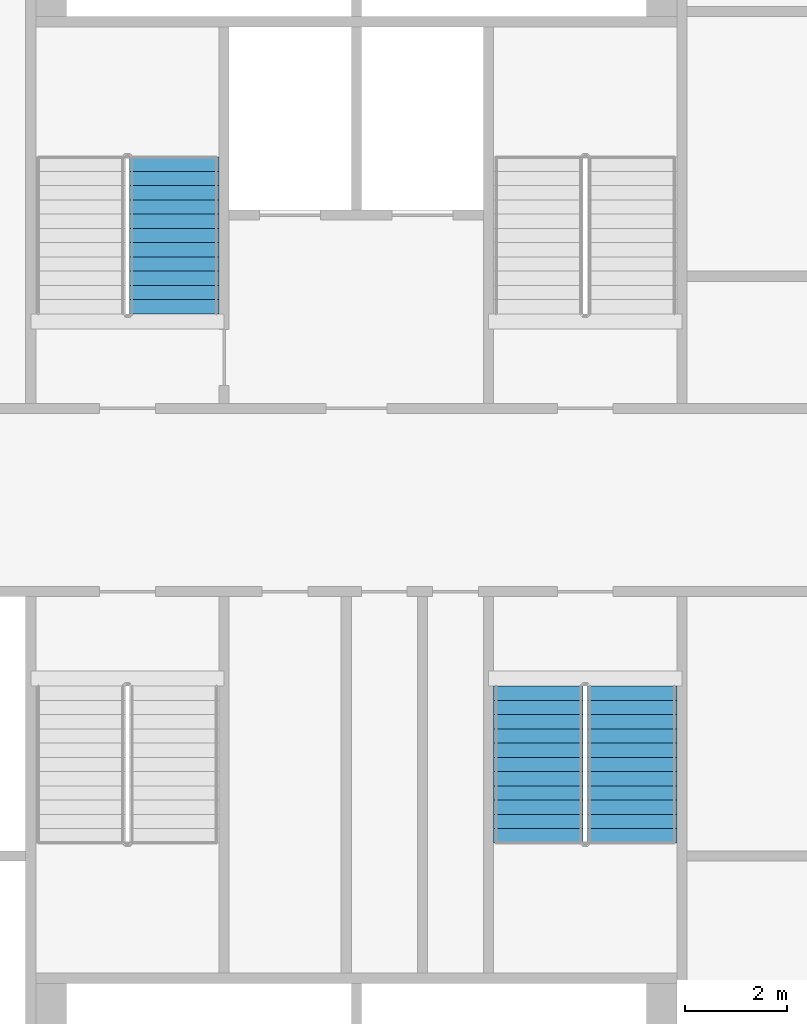
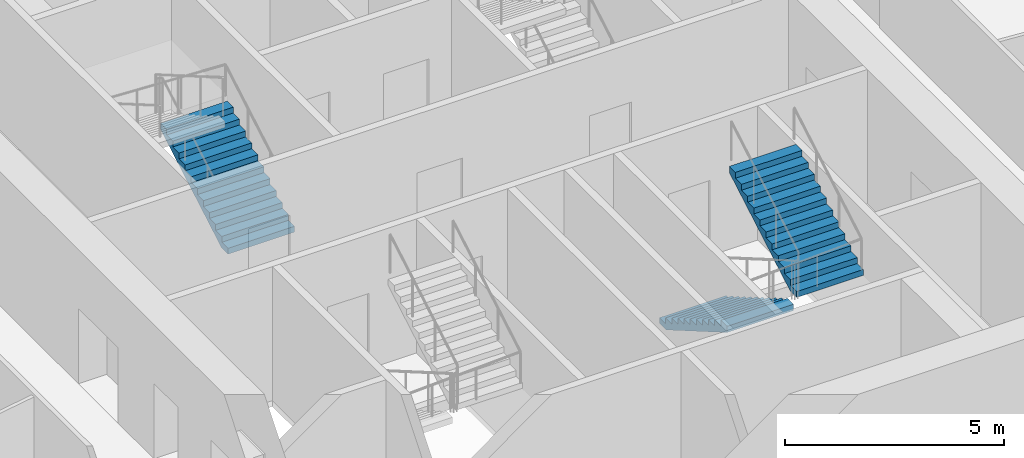
# One storey, part 9 of 16: 3 stair flights, 2 elements without a shape of their own.
"""IFC4 building model written with IfcOpenShell, lengths in metres."""

from ifc_helpers import new_model, si_unit, direction, frame, origin, place, context, subcontext, project, spatial, faceted_brep, material, type_object, element, aggregate, save


model = new_model("IFC4")

# Units and contexts
model_context = context("Model", 3, precision=1e-05, world=origin(), true_north=direction((0.0, 1.0)))
body_context = subcontext(model_context, "Body", "Model", "MODEL_VIEW")
ifc_project = project(units=[si_unit("LENGTHUNIT", "METRE"), si_unit("AREAUNIT", "SQUARE_METRE"), si_unit("VOLUMEUNIT", "CUBIC_METRE"), si_unit("PLANEANGLEUNIT", "RADIAN"), si_unit("MASSUNIT", "GRAM", prefix="KILO")], contexts=[model_context])

# Site, building, storey
site_placement = place(None, origin())
site = spatial("IfcSite", under=ifc_project, at=site_placement, CompositionType="ELEMENT")
building_placement = place(site_placement, origin())
building = spatial("IfcBuilding", under=site, at=building_placement, Name="Tarsis Ring Headquarters", CompositionType="ELEMENT")
storey_placement = place(building_placement, frame((0.0, 0.0, 96.699951171875)))
storey = spatial("IfcBuildingStorey", under=building, at=storey_placement, Name="L21", CompositionType="ELEMENT", Elevation=96.699951171875)

# Stair, stair flight
ifc_material_1 = material(Name="Core stair 1760")
stair_type = type_object("IfcStairType", Name="Core stair 1760", PredefinedType="HALF_TURN_STAIR", material=ifc_material_1)
stair_1_placement = place(storey_placement, origin())
stair_1 = element("IfcStair", 1, at=stair_1_placement, inside=storey, type_object=stair_type, Name="L21 Firefighting stair", PredefinedType="HALF_TURN_STAIR")
ifc_material_2 = material(Name="Concrete C40/50", Category="concrete")
stair_flight_type = type_object("IfcStairFlightType", Name="Core stair flight 1760", PredefinedType="STRAIGHT", material=ifc_material_2)
stair_flight_1_placement = place(storey_placement, frame((-3.580078125, 3.659912109375, 0.0), z_axis=(0.0, 0.0, 1.0), x_axis=(0.0, 1.0, 0.0)))
stair_flight_1 = element("IfcStairFlight", 2, at=stair_flight_1_placement, type_object=stair_flight_type, Name="Stair ST1 flight 1", NumberOfRisers=12, NumberOfTreads=11, PredefinedType="STRAIGHT", RiserHeight=0.1625, TreadLength=0.28, context=body_context, shape_type="Brep", body=[
    faceted_brep([(0.0, 0.8798828125, 0.0), (0.0, 0.8798828125, 0.16259765625), (0.280029296875, 0.8798828125, 0.16259765625), (0.280029296875, 0.8798828125, 0.324951171875), (0.56005859375, 0.8798828125, 0.324951171875), (0.56005859375, 0.8798828125, 0.487548828125), (0.840087890625, 0.8798828125, 0.487548828125), (0.840087890625, 0.8798828125, 0.64990234375), (1.1201171875, 0.8798828125, 0.64990234375), (1.1201171875, 0.8798828125, 0.8125), (1.39990234375, 0.8798828125, 0.8125), (1.39990234375, 0.8798828125, 0.97509765625), (1.679931640625, 0.8798828125, 0.97509765625), (1.679931640625, 0.8798828125, 1.137451171875), (1.9599609375, 0.8798828125, 1.137451171875), (1.9599609375, 0.8798828125, 1.300048828125), (2.239990234375, 0.8798828125, 1.300048828125), (2.239990234375, 0.8798828125, 1.46240234375), (2.52001953125, 0.8798828125, 1.46240234375), (2.52001953125, 0.8798828125, 1.625), (2.800048828125, 0.8798828125, 1.625), (2.800048828125, 0.8798828125, 1.78759765625), (3.080078125, 0.8798828125, 1.78759765625), (3.080078125, 0.8798828125, 1.6142578125), (0.298583984375, 0.8798828125, 0.0), (0.298583984375, -0.8798828125, 0.0), (3.080078125, -0.8798828125, 1.6142578125), (3.080078125, -0.8798828125, 1.78759765625), (2.800048828125, -0.8798828125, 1.78759765625), (2.800048828125, -0.8798828125, 1.625), (2.52001953125, -0.8798828125, 1.625), (2.52001953125, -0.8798828125, 1.46240234375), (2.239990234375, -0.8798828125, 1.46240234375), (2.239990234375, -0.8798828125, 1.300048828125), (1.9599609375, -0.8798828125, 1.300048828125), (1.9599609375, -0.8798828125, 1.137451171875), (1.679931640625, -0.8798828125, 1.137451171875), (1.679931640625, -0.8798828125, 0.97509765625), (1.39990234375, -0.8798828125, 0.97509765625), (1.39990234375, -0.8798828125, 0.8125), (1.1201171875, -0.8798828125, 0.8125), (1.1201171875, -0.8798828125, 0.64990234375), (0.840087890625, -0.8798828125, 0.64990234375), (0.840087890625, -0.8798828125, 0.487548828125), (0.56005859375, -0.8798828125, 0.487548828125), (0.56005859375, -0.8798828125, 0.324951171875), (0.280029296875, -0.8798828125, 0.324951171875), (0.280029296875, -0.8798828125, 0.16259765625), (0.0, -0.8798828125, 0.16259765625), (0.0, -0.8798828125, 0.0), (0.0, -0.43994140625, 0.16259765625), (0.0, -0.43994140625, 0.0), (0.0, 0.0, 0.16259765625), (0.0, 0.0, 0.0), (0.0, 0.43994140625, 0.16259765625), (0.0, 0.43994140625, 0.0), (0.280029296875, -0.43994140625, 0.16259765625), (0.280029296875, 0.0, 0.16259765625), (0.280029296875, 0.43994140625, 0.16259765625), (0.280029296875, -0.43994140625, 0.324951171875), (0.280029296875, 0.0, 0.324951171875), (0.280029296875, 0.43994140625, 0.324951171875), (0.56005859375, -0.43994140625, 0.324951171875), (0.56005859375, 0.0, 0.324951171875), (0.56005859375, 0.43994140625, 0.324951171875), (0.56005859375, -0.43994140625, 0.487548828125), (0.56005859375, 0.0, 0.487548828125), (0.56005859375, 0.43994140625, 0.487548828125), (0.840087890625, -0.43994140625, 0.487548828125), (0.840087890625, 0.0, 0.487548828125), (0.840087890625, 0.43994140625, 0.487548828125), (0.840087890625, -0.43994140625, 0.64990234375), (0.840087890625, 0.0, 0.64990234375), (0.840087890625, 0.43994140625, 0.64990234375), (1.1201171875, -0.43994140625, 0.64990234375), (1.1201171875, 0.0, 0.64990234375), (1.1201171875, 0.43994140625, 0.64990234375), (1.1201171875, -0.43994140625, 0.8125), (1.1201171875, 0.0, 0.8125), (1.1201171875, 0.43994140625, 0.8125), (1.39990234375, -0.43994140625, 0.8125), (1.39990234375, 0.0, 0.8125), (1.39990234375, 0.43994140625, 0.8125), (1.39990234375, -0.43994140625, 0.97509765625), (1.39990234375, 0.0, 0.97509765625), (1.39990234375, 0.43994140625, 0.97509765625), (1.679931640625, -0.43994140625, 0.97509765625), (1.679931640625, 0.0, 0.97509765625), (1.679931640625, 0.43994140625, 0.97509765625), (1.679931640625, -0.43994140625, 1.137451171875), (1.679931640625, 0.0, 1.137451171875), (1.679931640625, 0.43994140625, 1.137451171875), (1.9599609375, -0.43994140625, 1.137451171875), (1.9599609375, 0.0, 1.137451171875), (1.9599609375, 0.43994140625, 1.137451171875), (1.9599609375, -0.43994140625, 1.300048828125), (1.9599609375, 0.0, 1.300048828125), (1.9599609375, 0.43994140625, 1.300048828125), (2.239990234375, -0.43994140625, 1.300048828125), (2.239990234375, 0.0, 1.300048828125), (2.239990234375, 0.43994140625, 1.300048828125), (2.239990234375, -0.43994140625, 1.46240234375), (2.239990234375, 0.0, 1.46240234375), (2.239990234375, 0.43994140625, 1.46240234375), (2.52001953125, -0.43994140625, 1.46240234375), (2.52001953125, 0.0, 1.46240234375), (2.52001953125, 0.43994140625, 1.46240234375), (2.52001953125, -0.43994140625, 1.625), (2.52001953125, 0.0, 1.625), (2.52001953125, 0.43994140625, 1.625), (2.800048828125, -0.43994140625, 1.625), (2.800048828125, 0.0, 1.625), (2.800048828125, 0.43994140625, 1.625), (2.800048828125, -0.43994140625, 1.78759765625), (2.800048828125, 0.0, 1.78759765625), (2.800048828125, 0.43994140625, 1.78759765625), (3.080078125, -0.43994140625, 1.78759765625), (3.080078125, 0.0, 1.78759765625), (3.080078125, 0.43994140625, 1.78759765625), (3.080078125, -0.43994140625, 1.6142578125), (3.080078125, 0.0, 1.6142578125), (3.080078125, 0.43994140625, 1.6142578125), (0.298583984375, -0.43994140625, 0.0), (0.298583984375, 0.0, 0.0), (0.298583984375, 0.43994140625, 0.0)], [[[0, 1, 2, 3, 4, 5, 6, 7, 8, 9, 10, 11, 12, 13, 14, 15, 16, 17, 18, 19, 20, 21, 22, 23, 24]], [[25, 26, 27, 28, 29, 30, 31, 32, 33, 34, 35, 36, 37, 38, 39, 40, 41, 42, 43, 44, 45, 46, 47, 48, 49]], [[49, 48, 50, 51]], [[51, 50, 52, 53]], [[53, 52, 54, 55]], [[55, 54, 1, 0]], [[48, 47, 56, 50]], [[50, 56, 57, 52]], [[52, 57, 58, 54]], [[54, 58, 2, 1]], [[47, 46, 59, 56]], [[56, 59, 60, 57]], [[57, 60, 61, 58]], [[58, 61, 3, 2]], [[46, 45, 62, 59]], [[59, 62, 63, 60]], [[60, 63, 64, 61]], [[61, 64, 4, 3]], [[45, 44, 65, 62]], [[62, 65, 66, 63]], [[63, 66, 67, 64]], [[64, 67, 5, 4]], [[44, 43, 68, 65]], [[65, 68, 69, 66]], [[66, 69, 70, 67]], [[67, 70, 6, 5]], [[43, 42, 71, 68]], [[68, 71, 72, 69]], [[69, 72, 73, 70]], [[70, 73, 7, 6]], [[42, 41, 74, 71]], [[71, 74, 75, 72]], [[72, 75, 76, 73]], [[73, 76, 8, 7]], [[41, 40, 77, 74]], [[74, 77, 78, 75]], [[75, 78, 79, 76]], [[76, 79, 9, 8]], [[40, 39, 80, 77]], [[77, 80, 81, 78]], [[78, 81, 82, 79]], [[79, 82, 10, 9]], [[39, 38, 83, 80]], [[80, 83, 84, 81]], [[81, 84, 85, 82]], [[82, 85, 11, 10]], [[38, 37, 86, 83]], [[83, 86, 87, 84]], [[84, 87, 88, 85]], [[85, 88, 12, 11]], [[37, 36, 89, 86]], [[86, 89, 90, 87]], [[87, 90, 91, 88]], [[88, 91, 13, 12]], [[36, 35, 92, 89]], [[89, 92, 93, 90]], [[90, 93, 94, 91]], [[91, 94, 14, 13]], [[35, 34, 95, 92]], [[92, 95, 96, 93]], [[93, 96, 97, 94]], [[94, 97, 15, 14]], [[34, 33, 98, 95]], [[95, 98, 99, 96]], [[96, 99, 100, 97]], [[97, 100, 16, 15]], [[33, 32, 101, 98]], [[98, 101, 102, 99]], [[99, 102, 103, 100]], [[100, 103, 17, 16]], [[32, 31, 104, 101]], [[101, 104, 105, 102]], [[102, 105, 106, 103]], [[103, 106, 18, 17]], [[31, 30, 107, 104]], [[104, 107, 108, 105]], [[105, 108, 109, 106]], [[106, 109, 19, 18]], [[30, 29, 110, 107]], [[107, 110, 111, 108]], [[108, 111, 112, 109]], [[109, 112, 20, 19]], [[29, 28, 113, 110]], [[110, 113, 114, 111]], [[111, 114, 115, 112]], [[112, 115, 21, 20]], [[28, 27, 116, 113]], [[113, 116, 117, 114]], [[114, 117, 118, 115]], [[115, 118, 22, 21]], [[27, 26, 119, 116]], [[116, 119, 120, 117]], [[117, 120, 121, 118]], [[118, 121, 23, 22]], [[26, 25, 122, 119]], [[119, 122, 123, 120]], [[120, 123, 124, 121]], [[121, 124, 24, 23]], [[25, 49, 51, 122]], [[122, 51, 53, 123]], [[123, 53, 55, 124]], [[124, 55, 0, 24]]]),
])
aggregate(stair_1, [stair_flight_1])

# Stair, stair flights
stair_2_placement = place(storey_placement, origin())
stair_2 = element("IfcStair", 3, at=stair_2_placement, inside=storey, type_object=stair_type, Name="L21 Exit stair D", PredefinedType="HALF_TURN_STAIR")
stair_flight_2_placement = place(storey_placement, frame((3.580078125, -3.659912109375, 0.0), z_axis=(0.0, 0.0, 1.0), x_axis=(0.0, -1.0, 0.0)))
stair_flight_2 = element("IfcStairFlight", 4, at=stair_flight_2_placement, type_object=stair_flight_type, Name="Stair ST4 flight 1", NumberOfRisers=12, NumberOfTreads=11, PredefinedType="STRAIGHT", RiserHeight=0.1625, TreadLength=0.28, context=body_context, shape_type="Brep", body=[
    faceted_brep([(0.0, 0.8798828125, 0.0), (0.0, 0.8798828125, 0.16259765625), (0.280029296875, 0.8798828125, 0.16259765625), (0.280029296875, 0.8798828125, 0.324951171875), (0.56005859375, 0.8798828125, 0.324951171875), (0.56005859375, 0.8798828125, 0.487548828125), (0.840087890625, 0.8798828125, 0.487548828125), (0.840087890625, 0.8798828125, 0.64990234375), (1.1201171875, 0.8798828125, 0.64990234375), (1.1201171875, 0.8798828125, 0.8125), (1.39990234375, 0.8798828125, 0.8125), (1.39990234375, 0.8798828125, 0.97509765625), (1.679931640625, 0.8798828125, 0.97509765625), (1.679931640625, 0.8798828125, 1.137451171875), (1.9599609375, 0.8798828125, 1.137451171875), (1.9599609375, 0.8798828125, 1.300048828125), (2.239990234375, 0.8798828125, 1.300048828125), (2.239990234375, 0.8798828125, 1.46240234375), (2.52001953125, 0.8798828125, 1.46240234375), (2.52001953125, 0.8798828125, 1.625), (2.800048828125, 0.8798828125, 1.625), (2.800048828125, 0.8798828125, 1.78759765625), (3.080078125, 0.8798828125, 1.78759765625), (3.080078125, 0.8798828125, 1.6142578125), (0.298583984375, 0.8798828125, 0.0), (0.298583984375, -0.8798828125, 0.0), (3.080078125, -0.8798828125, 1.6142578125), (3.080078125, -0.8798828125, 1.78759765625), (2.800048828125, -0.8798828125, 1.78759765625), (2.800048828125, -0.8798828125, 1.625), (2.52001953125, -0.8798828125, 1.625), (2.52001953125, -0.8798828125, 1.46240234375), (2.239990234375, -0.8798828125, 1.46240234375), (2.239990234375, -0.8798828125, 1.300048828125), (1.9599609375, -0.8798828125, 1.300048828125), (1.9599609375, -0.8798828125, 1.137451171875), (1.679931640625, -0.8798828125, 1.137451171875), (1.679931640625, -0.8798828125, 0.97509765625), (1.39990234375, -0.8798828125, 0.97509765625), (1.39990234375, -0.8798828125, 0.8125), (1.1201171875, -0.8798828125, 0.8125), (1.1201171875, -0.8798828125, 0.64990234375), (0.840087890625, -0.8798828125, 0.64990234375), (0.840087890625, -0.8798828125, 0.487548828125), (0.56005859375, -0.8798828125, 0.487548828125), (0.56005859375, -0.8798828125, 0.324951171875), (0.280029296875, -0.8798828125, 0.324951171875), (0.280029296875, -0.8798828125, 0.16259765625), (0.0, -0.8798828125, 0.16259765625), (0.0, -0.8798828125, 0.0), (0.0, -0.43994140625, 0.16259765625), (0.0, -0.43994140625, 0.0), (0.0, 0.0, 0.16259765625), (0.0, 0.0, 0.0), (0.0, 0.43994140625, 0.16259765625), (0.0, 0.43994140625, 0.0), (0.280029296875, -0.43994140625, 0.16259765625), (0.280029296875, 0.0, 0.16259765625), (0.280029296875, 0.43994140625, 0.16259765625), (0.280029296875, -0.43994140625, 0.324951171875), (0.280029296875, 0.0, 0.324951171875), (0.280029296875, 0.43994140625, 0.324951171875), (0.56005859375, -0.43994140625, 0.324951171875), (0.56005859375, 0.0, 0.324951171875), (0.56005859375, 0.43994140625, 0.324951171875), (0.56005859375, -0.43994140625, 0.487548828125), (0.56005859375, 0.0, 0.487548828125), (0.56005859375, 0.43994140625, 0.487548828125), (0.840087890625, -0.43994140625, 0.487548828125), (0.840087890625, 0.0, 0.487548828125), (0.840087890625, 0.43994140625, 0.487548828125), (0.840087890625, -0.43994140625, 0.64990234375), (0.840087890625, 0.0, 0.64990234375), (0.840087890625, 0.43994140625, 0.64990234375), (1.1201171875, -0.43994140625, 0.64990234375), (1.1201171875, 0.0, 0.64990234375), (1.1201171875, 0.43994140625, 0.64990234375), (1.1201171875, -0.43994140625, 0.8125), (1.1201171875, 0.0, 0.8125), (1.1201171875, 0.43994140625, 0.8125), (1.39990234375, -0.43994140625, 0.8125), (1.39990234375, 0.0, 0.8125), (1.39990234375, 0.43994140625, 0.8125), (1.39990234375, -0.43994140625, 0.97509765625), (1.39990234375, 0.0, 0.97509765625), (1.39990234375, 0.43994140625, 0.97509765625), (1.679931640625, -0.43994140625, 0.97509765625), (1.679931640625, 0.0, 0.97509765625), (1.679931640625, 0.43994140625, 0.97509765625), (1.679931640625, -0.43994140625, 1.137451171875), (1.679931640625, 0.0, 1.137451171875), (1.679931640625, 0.43994140625, 1.137451171875), (1.9599609375, -0.43994140625, 1.137451171875), (1.9599609375, 0.0, 1.137451171875), (1.9599609375, 0.43994140625, 1.137451171875), (1.9599609375, -0.43994140625, 1.300048828125), (1.9599609375, 0.0, 1.300048828125), (1.9599609375, 0.43994140625, 1.300048828125), (2.239990234375, -0.43994140625, 1.300048828125), (2.239990234375, 0.0, 1.300048828125), (2.239990234375, 0.43994140625, 1.300048828125), (2.239990234375, -0.43994140625, 1.46240234375), (2.239990234375, 0.0, 1.46240234375), (2.239990234375, 0.43994140625, 1.46240234375), (2.52001953125, -0.43994140625, 1.46240234375), (2.52001953125, 0.0, 1.46240234375), (2.52001953125, 0.43994140625, 1.46240234375), (2.52001953125, -0.43994140625, 1.625), (2.52001953125, 0.0, 1.625), (2.52001953125, 0.43994140625, 1.625), (2.800048828125, -0.43994140625, 1.625), (2.800048828125, 0.0, 1.625), (2.800048828125, 0.43994140625, 1.625), (2.800048828125, -0.43994140625, 1.78759765625), (2.800048828125, 0.0, 1.78759765625), (2.800048828125, 0.43994140625, 1.78759765625), (3.080078125, -0.43994140625, 1.78759765625), (3.080078125, 0.0, 1.78759765625), (3.080078125, 0.43994140625, 1.78759765625), (3.080078125, -0.43994140625, 1.6142578125), (3.080078125, 0.0, 1.6142578125), (3.080078125, 0.43994140625, 1.6142578125), (0.298583984375, -0.43994140625, 0.0), (0.298583984375, 0.0, 0.0), (0.298583984375, 0.43994140625, 0.0)], [[[0, 1, 2, 3, 4, 5, 6, 7, 8, 9, 10, 11, 12, 13, 14, 15, 16, 17, 18, 19, 20, 21, 22, 23, 24]], [[25, 26, 27, 28, 29, 30, 31, 32, 33, 34, 35, 36, 37, 38, 39, 40, 41, 42, 43, 44, 45, 46, 47, 48, 49]], [[49, 48, 50, 51]], [[51, 50, 52, 53]], [[53, 52, 54, 55]], [[55, 54, 1, 0]], [[48, 47, 56, 50]], [[50, 56, 57, 52]], [[52, 57, 58, 54]], [[54, 58, 2, 1]], [[47, 46, 59, 56]], [[56, 59, 60, 57]], [[57, 60, 61, 58]], [[58, 61, 3, 2]], [[46, 45, 62, 59]], [[59, 62, 63, 60]], [[60, 63, 64, 61]], [[61, 64, 4, 3]], [[45, 44, 65, 62]], [[62, 65, 66, 63]], [[63, 66, 67, 64]], [[64, 67, 5, 4]], [[44, 43, 68, 65]], [[65, 68, 69, 66]], [[66, 69, 70, 67]], [[67, 70, 6, 5]], [[43, 42, 71, 68]], [[68, 71, 72, 69]], [[69, 72, 73, 70]], [[70, 73, 7, 6]], [[42, 41, 74, 71]], [[71, 74, 75, 72]], [[72, 75, 76, 73]], [[73, 76, 8, 7]], [[41, 40, 77, 74]], [[74, 77, 78, 75]], [[75, 78, 79, 76]], [[76, 79, 9, 8]], [[40, 39, 80, 77]], [[77, 80, 81, 78]], [[78, 81, 82, 79]], [[79, 82, 10, 9]], [[39, 38, 83, 80]], [[80, 83, 84, 81]], [[81, 84, 85, 82]], [[82, 85, 11, 10]], [[38, 37, 86, 83]], [[83, 86, 87, 84]], [[84, 87, 88, 85]], [[85, 88, 12, 11]], [[37, 36, 89, 86]], [[86, 89, 90, 87]], [[87, 90, 91, 88]], [[88, 91, 13, 12]], [[36, 35, 92, 89]], [[89, 92, 93, 90]], [[90, 93, 94, 91]], [[91, 94, 14, 13]], [[35, 34, 95, 92]], [[92, 95, 96, 93]], [[93, 96, 97, 94]], [[94, 97, 15, 14]], [[34, 33, 98, 95]], [[95, 98, 99, 96]], [[96, 99, 100, 97]], [[97, 100, 16, 15]], [[33, 32, 101, 98]], [[98, 101, 102, 99]], [[99, 102, 103, 100]], [[100, 103, 17, 16]], [[32, 31, 104, 101]], [[101, 104, 105, 102]], [[102, 105, 106, 103]], [[103, 106, 18, 17]], [[31, 30, 107, 104]], [[104, 107, 108, 105]], [[105, 108, 109, 106]], [[106, 109, 19, 18]], [[30, 29, 110, 107]], [[107, 110, 111, 108]], [[108, 111, 112, 109]], [[109, 112, 20, 19]], [[29, 28, 113, 110]], [[110, 113, 114, 111]], [[111, 114, 115, 112]], [[112, 115, 21, 20]], [[28, 27, 116, 113]], [[113, 116, 117, 114]], [[114, 117, 118, 115]], [[115, 118, 22, 21]], [[27, 26, 119, 116]], [[116, 119, 120, 117]], [[117, 120, 121, 118]], [[118, 121, 23, 22]], [[26, 25, 122, 119]], [[119, 122, 123, 120]], [[120, 123, 124, 121]], [[121, 124, 24, 23]], [[25, 49, 51, 122]], [[122, 51, 53, 123]], [[123, 53, 55, 124]], [[124, 55, 0, 24]]]),
])
stair_flight_3_placement = place(storey_placement, frame((5.419921875, -6.739990234375, 1.949951171875), z_axis=(0.0, 0.0, 1.0), x_axis=(0.0, 1.0, 0.0)))
stair_flight_3 = element("IfcStairFlight", 5, at=stair_flight_3_placement, type_object=stair_flight_type, Name="Stair ST4 flight 2", NumberOfRisers=12, NumberOfTreads=11, PredefinedType="STRAIGHT", RiserHeight=0.1625, TreadLength=0.28, context=body_context, shape_type="Brep", body=[
    faceted_brep([(0.0, 0.8798828125, 0.0), (0.0, 0.8798828125, 0.16259765625), (0.280029296875, 0.8798828125, 0.16259765625), (0.280029296875, 0.8798828125, 0.324951171875), (0.56005859375, 0.8798828125, 0.324951171875), (0.56005859375, 0.8798828125, 0.487548828125), (0.840087890625, 0.8798828125, 0.487548828125), (0.840087890625, 0.8798828125, 0.64990234375), (1.1201171875, 0.8798828125, 0.64990234375), (1.1201171875, 0.8798828125, 0.8125), (1.39990234375, 0.8798828125, 0.8125), (1.39990234375, 0.8798828125, 0.97509765625), (1.679931640625, 0.8798828125, 0.97509765625), (1.679931640625, 0.8798828125, 1.137451171875), (1.9599609375, 0.8798828125, 1.137451171875), (1.9599609375, 0.8798828125, 1.300048828125), (2.239990234375, 0.8798828125, 1.300048828125), (2.239990234375, 0.8798828125, 1.46240234375), (2.52001953125, 0.8798828125, 1.46240234375), (2.52001953125, 0.8798828125, 1.625), (2.800048828125, 0.8798828125, 1.625), (2.800048828125, 0.8798828125, 1.78759765625), (3.080078125, 0.8798828125, 1.78759765625), (3.080078125, 0.8798828125, 1.6142578125), (0.298583984375, 0.8798828125, 0.0), (0.298583984375, -0.8798828125, 0.0), (3.080078125, -0.8798828125, 1.6142578125), (3.080078125, -0.8798828125, 1.78759765625), (2.800048828125, -0.8798828125, 1.78759765625), (2.800048828125, -0.8798828125, 1.625), (2.52001953125, -0.8798828125, 1.625), (2.52001953125, -0.8798828125, 1.46240234375), (2.239990234375, -0.8798828125, 1.46240234375), (2.239990234375, -0.8798828125, 1.300048828125), (1.9599609375, -0.8798828125, 1.300048828125), (1.9599609375, -0.8798828125, 1.137451171875), (1.679931640625, -0.8798828125, 1.137451171875), (1.679931640625, -0.8798828125, 0.97509765625), (1.39990234375, -0.8798828125, 0.97509765625), (1.39990234375, -0.8798828125, 0.8125), (1.1201171875, -0.8798828125, 0.8125), (1.1201171875, -0.8798828125, 0.64990234375), (0.840087890625, -0.8798828125, 0.64990234375), (0.840087890625, -0.8798828125, 0.487548828125), (0.56005859375, -0.8798828125, 0.487548828125), (0.56005859375, -0.8798828125, 0.324951171875), (0.280029296875, -0.8798828125, 0.324951171875), (0.280029296875, -0.8798828125, 0.16259765625), (0.0, -0.8798828125, 0.16259765625), (0.0, -0.8798828125, 0.0), (0.0, -0.43994140625, 0.16259765625), (0.0, -0.43994140625, 0.0), (0.0, 0.0, 0.16259765625), (0.0, 0.0, 0.0), (0.0, 0.43994140625, 0.16259765625), (0.0, 0.43994140625, 0.0), (0.280029296875, -0.43994140625, 0.16259765625), (0.280029296875, 0.0, 0.16259765625), (0.280029296875, 0.43994140625, 0.16259765625), (0.280029296875, -0.43994140625, 0.324951171875), (0.280029296875, 0.0, 0.324951171875), (0.280029296875, 0.43994140625, 0.324951171875), (0.56005859375, -0.43994140625, 0.324951171875), (0.56005859375, 0.0, 0.324951171875), (0.56005859375, 0.43994140625, 0.324951171875), (0.56005859375, -0.43994140625, 0.487548828125), (0.56005859375, 0.0, 0.487548828125), (0.56005859375, 0.43994140625, 0.487548828125), (0.840087890625, -0.43994140625, 0.487548828125), (0.840087890625, 0.0, 0.487548828125), (0.840087890625, 0.43994140625, 0.487548828125), (0.840087890625, -0.43994140625, 0.64990234375), (0.840087890625, 0.0, 0.64990234375), (0.840087890625, 0.43994140625, 0.64990234375), (1.1201171875, -0.43994140625, 0.64990234375), (1.1201171875, 0.0, 0.64990234375), (1.1201171875, 0.43994140625, 0.64990234375), (1.1201171875, -0.43994140625, 0.8125), (1.1201171875, 0.0, 0.8125), (1.1201171875, 0.43994140625, 0.8125), (1.39990234375, -0.43994140625, 0.8125), (1.39990234375, 0.0, 0.8125), (1.39990234375, 0.43994140625, 0.8125), (1.39990234375, -0.43994140625, 0.97509765625), (1.39990234375, 0.0, 0.97509765625), (1.39990234375, 0.43994140625, 0.97509765625), (1.679931640625, -0.43994140625, 0.97509765625), (1.679931640625, 0.0, 0.97509765625), (1.679931640625, 0.43994140625, 0.97509765625), (1.679931640625, -0.43994140625, 1.137451171875), (1.679931640625, 0.0, 1.137451171875), (1.679931640625, 0.43994140625, 1.137451171875), (1.9599609375, -0.43994140625, 1.137451171875), (1.9599609375, 0.0, 1.137451171875), (1.9599609375, 0.43994140625, 1.137451171875), (1.9599609375, -0.43994140625, 1.300048828125), (1.9599609375, 0.0, 1.300048828125), (1.9599609375, 0.43994140625, 1.300048828125), (2.239990234375, -0.43994140625, 1.300048828125), (2.239990234375, 0.0, 1.300048828125), (2.239990234375, 0.43994140625, 1.300048828125), (2.239990234375, -0.43994140625, 1.46240234375), (2.239990234375, 0.0, 1.46240234375), (2.239990234375, 0.43994140625, 1.46240234375), (2.52001953125, -0.43994140625, 1.46240234375), (2.52001953125, 0.0, 1.46240234375), (2.52001953125, 0.43994140625, 1.46240234375), (2.52001953125, -0.43994140625, 1.625), (2.52001953125, 0.0, 1.625), (2.52001953125, 0.43994140625, 1.625), (2.800048828125, -0.43994140625, 1.625), (2.800048828125, 0.0, 1.625), (2.800048828125, 0.43994140625, 1.625), (2.800048828125, -0.43994140625, 1.78759765625), (2.800048828125, 0.0, 1.78759765625), (2.800048828125, 0.43994140625, 1.78759765625), (3.080078125, -0.43994140625, 1.78759765625), (3.080078125, 0.0, 1.78759765625), (3.080078125, 0.43994140625, 1.78759765625), (3.080078125, -0.43994140625, 1.6142578125), (3.080078125, 0.0, 1.6142578125), (3.080078125, 0.43994140625, 1.6142578125), (0.298583984375, -0.43994140625, 0.0), (0.298583984375, 0.0, 0.0), (0.298583984375, 0.43994140625, 0.0)], [[[0, 1, 2, 3, 4, 5, 6, 7, 8, 9, 10, 11, 12, 13, 14, 15, 16, 17, 18, 19, 20, 21, 22, 23, 24]], [[25, 26, 27, 28, 29, 30, 31, 32, 33, 34, 35, 36, 37, 38, 39, 40, 41, 42, 43, 44, 45, 46, 47, 48, 49]], [[49, 48, 50, 51]], [[51, 50, 52, 53]], [[53, 52, 54, 55]], [[55, 54, 1, 0]], [[48, 47, 56, 50]], [[50, 56, 57, 52]], [[52, 57, 58, 54]], [[54, 58, 2, 1]], [[47, 46, 59, 56]], [[56, 59, 60, 57]], [[57, 60, 61, 58]], [[58, 61, 3, 2]], [[46, 45, 62, 59]], [[59, 62, 63, 60]], [[60, 63, 64, 61]], [[61, 64, 4, 3]], [[45, 44, 65, 62]], [[62, 65, 66, 63]], [[63, 66, 67, 64]], [[64, 67, 5, 4]], [[44, 43, 68, 65]], [[65, 68, 69, 66]], [[66, 69, 70, 67]], [[67, 70, 6, 5]], [[43, 42, 71, 68]], [[68, 71, 72, 69]], [[69, 72, 73, 70]], [[70, 73, 7, 6]], [[42, 41, 74, 71]], [[71, 74, 75, 72]], [[72, 75, 76, 73]], [[73, 76, 8, 7]], [[41, 40, 77, 74]], [[74, 77, 78, 75]], [[75, 78, 79, 76]], [[76, 79, 9, 8]], [[40, 39, 80, 77]], [[77, 80, 81, 78]], [[78, 81, 82, 79]], [[79, 82, 10, 9]], [[39, 38, 83, 80]], [[80, 83, 84, 81]], [[81, 84, 85, 82]], [[82, 85, 11, 10]], [[38, 37, 86, 83]], [[83, 86, 87, 84]], [[84, 87, 88, 85]], [[85, 88, 12, 11]], [[37, 36, 89, 86]], [[86, 89, 90, 87]], [[87, 90, 91, 88]], [[88, 91, 13, 12]], [[36, 35, 92, 89]], [[89, 92, 93, 90]], [[90, 93, 94, 91]], [[91, 94, 14, 13]], [[35, 34, 95, 92]], [[92, 95, 96, 93]], [[93, 96, 97, 94]], [[94, 97, 15, 14]], [[34, 33, 98, 95]], [[95, 98, 99, 96]], [[96, 99, 100, 97]], [[97, 100, 16, 15]], [[33, 32, 101, 98]], [[98, 101, 102, 99]], [[99, 102, 103, 100]], [[100, 103, 17, 16]], [[32, 31, 104, 101]], [[101, 104, 105, 102]], [[102, 105, 106, 103]], [[103, 106, 18, 17]], [[31, 30, 107, 104]], [[104, 107, 108, 105]], [[105, 108, 109, 106]], [[106, 109, 19, 18]], [[30, 29, 110, 107]], [[107, 110, 111, 108]], [[108, 111, 112, 109]], [[109, 112, 20, 19]], [[29, 28, 113, 110]], [[110, 113, 114, 111]], [[111, 114, 115, 112]], [[112, 115, 21, 20]], [[28, 27, 116, 113]], [[113, 116, 117, 114]], [[114, 117, 118, 115]], [[115, 118, 22, 21]], [[27, 26, 119, 116]], [[116, 119, 120, 117]], [[117, 120, 121, 118]], [[118, 121, 23, 22]], [[26, 25, 122, 119]], [[119, 122, 123, 120]], [[120, 123, 124, 121]], [[121, 124, 24, 23]], [[25, 49, 51, 122]], [[122, 51, 53, 123]], [[123, 53, 55, 124]], [[124, 55, 0, 24]]]),
])
aggregate(stair_2, [stair_flight_2, stair_flight_3])

save(model, "model.ifc")
